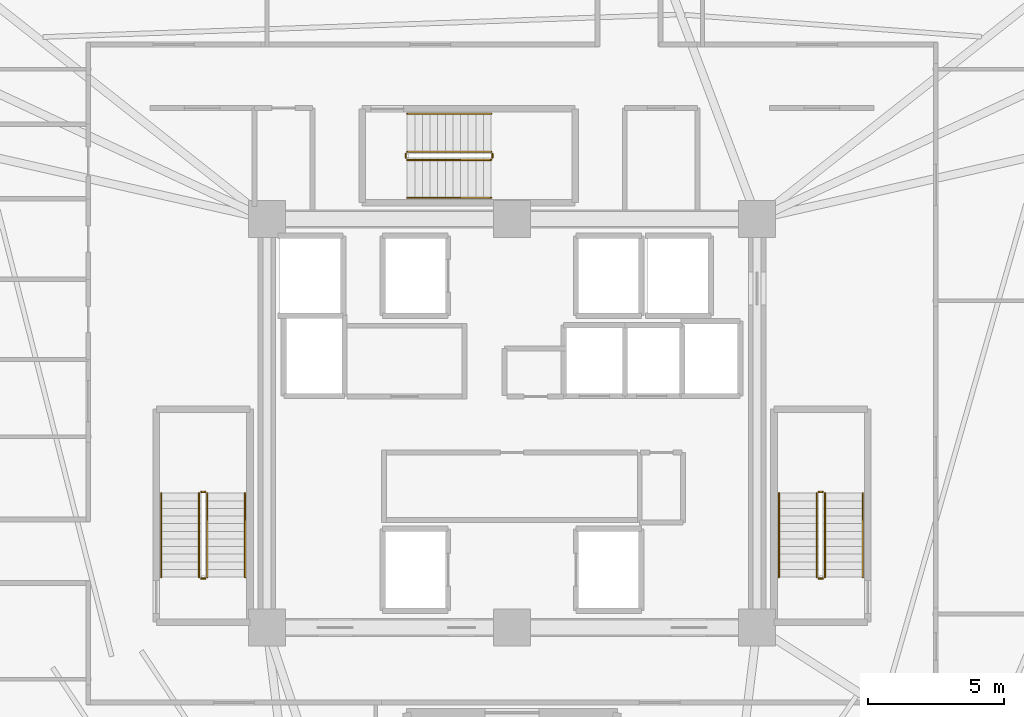
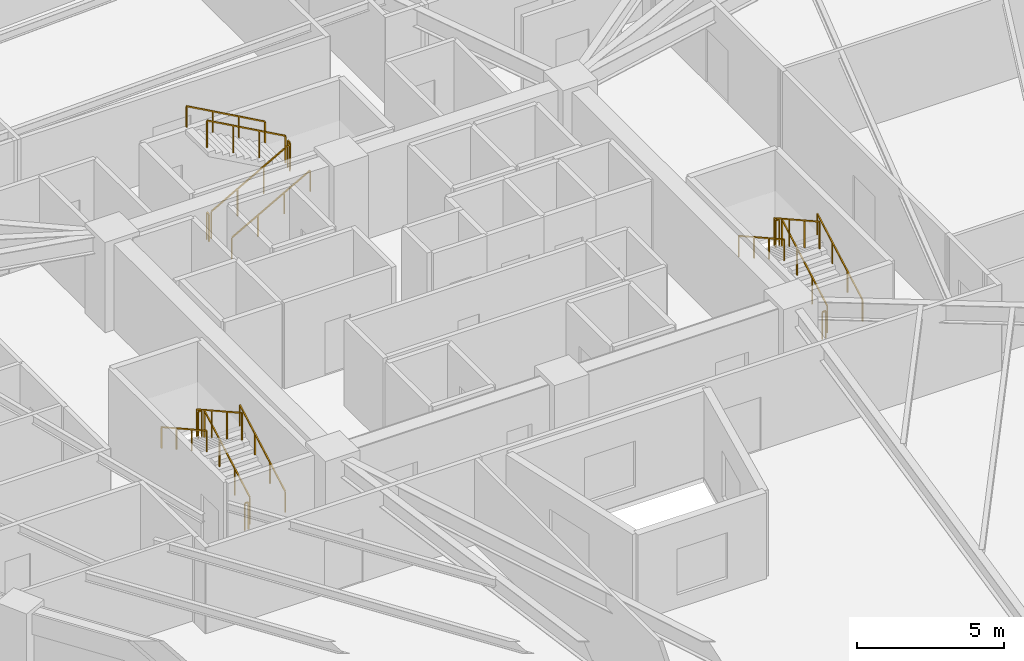
# One storey, part 8 of 8: 18 railings.
"""IFC4 building model written with IfcOpenShell, lengths in metres."""

from ifc_helpers import new_model, si_unit, direction, frame, origin, origin_2d, place, context, subcontext, project, spatial, rectangle, extrude, material, type_object, element, save


model = new_model("IFC4")

# Units and contexts
model_context = context("Model", 3, precision=1e-05, world=origin(), true_north=direction((0.0, 1.0)))
body_context = subcontext(model_context, "Body", "Model", "MODEL_VIEW")
ifc_project = project(units=[si_unit("LENGTHUNIT", "METRE"), si_unit("AREAUNIT", "SQUARE_METRE"), si_unit("VOLUMEUNIT", "CUBIC_METRE"), si_unit("PLANEANGLEUNIT", "RADIAN"), si_unit("MASSUNIT", "GRAM", prefix="KILO")], contexts=[model_context])

# Site, building, storey
site_placement = place(None, origin())
site = spatial("IfcSite", under=ifc_project, at=site_placement, CompositionType="ELEMENT")
building_placement = place(site_placement, origin())
building = spatial("IfcBuilding", under=site, at=building_placement, Name="Liaohun Quay Tower", CompositionType="ELEMENT")
storey_placement = place(building_placement, frame((0.0, 0.0, 198.0)))
storey = spatial("IfcBuildingStorey", under=building, at=storey_placement, Name="L51", CompositionType="ELEMENT", Elevation=198.0)

# Railings
ifc_material_1 = material(Name="Painted tubular steel", Category="steel")
railing_type_1 = type_object("IfcRailingType", Name="RLG-GUARD-STR", PredefinedType="GUARDRAIL", material=ifc_material_1)
railing_1_placement = place(storey_placement, frame((48.81005859375, 48.35009765625, 0.15625)))
element("IfcRailing", 1, at=railing_1_placement, inside=storey, type_object=railing_type_1, Name="L51 ST-1 stair guard 1", PredefinedType="GUARDRAIL", context=body_context, shape_type="SweptSolid", body=[
    extrude(rectangle(XDim=0.048095703125, YDim=0.048095703125, at=origin_2d()), frame((0.0, 0.0, 1.1259765625), z_axis=(0.0, 0.873225103656, 0.487317061414), x_axis=(-1.0, 0.0, 0.0)), (0.0, 0.0, 1.0), 3.52685546875),
    extrude(rectangle(XDim=0.0419921875, YDim=0.0419921875, at=origin_2d()), origin(), (0.0, 0.0, 1.0), 1.101806640625),
    extrude(rectangle(XDim=0.0419921875, YDim=0.0419921875, at=origin_2d()), frame((0.0, 1.026611328125, 0.572998046875)), (0.0, 0.0, 1.0), 1.101806640625),
    extrude(rectangle(XDim=0.0419921875, YDim=0.0419921875, at=origin_2d()), frame((0.0, 2.05322265625, 1.145751953125)), (0.0, 0.0, 1.0), 1.101806640625),
    extrude(rectangle(XDim=0.0419921875, YDim=0.0419921875, at=origin_2d()), frame((0.0, 3.079833984375, 1.71875)), (0.0, 0.0, 1.0), 1.101806640625),
])
railing_2_placement = place(storey_placement, frame((48.72998046875, 51.47998046875, 1.875)))
element("IfcRailing", 2, at=railing_2_placement, inside=storey, type_object=railing_type_1, Name="L51 ST-1 stair guard 2", PredefinedType="GUARDRAIL", context=body_context, shape_type="SweptSolid", body=[
    extrude(rectangle(XDim=0.048095703125, YDim=0.048095703125, at=origin_2d()), frame((0.0, 0.0, 1.1259765625), z_axis=(-1.0, 0.0, 0.0), x_axis=(0.0, -1.0, 0.0)), (0.0, 0.0, 1.0), 0.139892578125),
    extrude(rectangle(XDim=0.0419921875, YDim=0.0419921875, at=origin_2d()), origin(), (0.0, 0.0, 1.0), 1.101806640625),
    extrude(rectangle(XDim=0.0419921875, YDim=0.0419921875, at=origin_2d()), frame((-0.139892578125, 0.0, 0.0)), (0.0, 0.0, 1.0), 1.101806640625),
])
railing_3_placement = place(storey_placement, frame((48.510009765625, 51.429931640625, 2.03125)))
element("IfcRailing", 3, at=railing_3_placement, inside=storey, type_object=railing_type_1, Name="L51 ST-1 stair guard 3", PredefinedType="GUARDRAIL", context=body_context, shape_type="SweptSolid", body=[
    extrude(rectangle(XDim=0.048095703125, YDim=0.048095703125, at=origin_2d()), frame((0.0, 0.0, 1.1259765625), z_axis=(0.0, -0.873225103656, 0.487317061414), x_axis=(1.0, 0.0, 0.0)), (0.0, 0.0, 1.0), 3.52685546875),
    extrude(rectangle(XDim=0.0419921875, YDim=0.0419921875, at=origin_2d()), origin(), (0.0, 0.0, 1.0), 1.101806640625),
    extrude(rectangle(XDim=0.0419921875, YDim=0.0419921875, at=origin_2d()), frame((0.0, -1.026611328125, 0.572998046875)), (0.0, 0.0, 1.0), 1.101806640625),
    extrude(rectangle(XDim=0.0419921875, YDim=0.0419921875, at=origin_2d()), frame((0.0, -2.05322265625, 1.145751953125)), (0.0, 0.0, 1.0), 1.101806640625),
    extrude(rectangle(XDim=0.0419921875, YDim=0.0419921875, at=origin_2d()), frame((0.0, -3.079833984375, 1.71875)), (0.0, 0.0, 1.0), 1.101806640625),
])
railing_4_placement = place(storey_placement, frame((48.72998046875, 48.300048828125, 0.0)))
element("IfcRailing", 4, at=railing_4_placement, inside=storey, type_object=railing_type_1, Name="L51 ST-1 stair guard 4", PredefinedType="GUARDRAIL", context=body_context, shape_type="SweptSolid", body=[
    extrude(rectangle(XDim=0.048095703125, YDim=0.048095703125, at=origin_2d()), frame((0.0, 0.0, 1.1259765625), z_axis=(-1.0, 0.0, 0.0), x_axis=(0.0, -1.0, 0.0)), (0.0, 0.0, 1.0), 0.139892578125),
    extrude(rectangle(XDim=0.0419921875, YDim=0.0419921875, at=origin_2d()), origin(), (0.0, 0.0, 1.0), 1.101806640625),
    extrude(rectangle(XDim=0.0419921875, YDim=0.0419921875, at=origin_2d()), frame((-0.139892578125, 0.0, 0.0)), (0.0, 0.0, 1.0), 1.101806640625),
])
railing_5_placement = place(storey_placement, frame((71.489990234375, 48.35009765625, 0.15625)))
element("IfcRailing", 5, at=railing_5_placement, inside=storey, type_object=railing_type_1, Name="L51 ST-2 stair guard 1", PredefinedType="GUARDRAIL", context=body_context, shape_type="SweptSolid", body=[
    extrude(rectangle(XDim=0.048095703125, YDim=0.048095703125, at=origin_2d()), frame((0.0, 0.0, 1.1259765625), z_axis=(0.0, 0.873225103656, 0.487317061414), x_axis=(-1.0, 0.0, 0.0)), (0.0, 0.0, 1.0), 3.52685546875),
    extrude(rectangle(XDim=0.0419921875, YDim=0.0419921875, at=origin_2d()), origin(), (0.0, 0.0, 1.0), 1.101806640625),
    extrude(rectangle(XDim=0.0419921875, YDim=0.0419921875, at=origin_2d()), frame((0.0, 1.026611328125, 0.572998046875)), (0.0, 0.0, 1.0), 1.101806640625),
    extrude(rectangle(XDim=0.0419921875, YDim=0.0419921875, at=origin_2d()), frame((0.0, 2.05322265625, 1.145751953125)), (0.0, 0.0, 1.0), 1.101806640625),
    extrude(rectangle(XDim=0.0419921875, YDim=0.0419921875, at=origin_2d()), frame((0.0, 3.079833984375, 1.71875)), (0.0, 0.0, 1.0), 1.101806640625),
])
railing_6_placement = place(storey_placement, frame((71.409912109375, 51.47998046875, 1.875)))
element("IfcRailing", 6, at=railing_6_placement, inside=storey, type_object=railing_type_1, Name="L51 ST-2 stair guard 2", PredefinedType="GUARDRAIL", context=body_context, shape_type="SweptSolid", body=[
    extrude(rectangle(XDim=0.048095703125, YDim=0.048095703125, at=origin_2d()), frame((0.0, 0.0, 1.1259765625), z_axis=(-1.0, 0.0, 0.0), x_axis=(0.0, -1.0, 0.0)), (0.0, 0.0, 1.0), 0.139892578125),
    extrude(rectangle(XDim=0.0419921875, YDim=0.0419921875, at=origin_2d()), origin(), (0.0, 0.0, 1.0), 1.101806640625),
    extrude(rectangle(XDim=0.0419921875, YDim=0.0419921875, at=origin_2d()), frame((-0.139892578125, 0.0, 0.0)), (0.0, 0.0, 1.0), 1.101806640625),
])
railing_7_placement = place(storey_placement, frame((71.18994140625, 51.429931640625, 2.03125)))
element("IfcRailing", 7, at=railing_7_placement, inside=storey, type_object=railing_type_1, Name="L51 ST-2 stair guard 3", PredefinedType="GUARDRAIL", context=body_context, shape_type="SweptSolid", body=[
    extrude(rectangle(XDim=0.048095703125, YDim=0.048095703125, at=origin_2d()), frame((0.0, 0.0, 1.1259765625), z_axis=(0.0, -0.873225103656, 0.487317061414), x_axis=(1.0, 0.0, 0.0)), (0.0, 0.0, 1.0), 3.52685546875),
    extrude(rectangle(XDim=0.0419921875, YDim=0.0419921875, at=origin_2d()), origin(), (0.0, 0.0, 1.0), 1.101806640625),
    extrude(rectangle(XDim=0.0419921875, YDim=0.0419921875, at=origin_2d()), frame((0.0, -1.026611328125, 0.572998046875)), (0.0, 0.0, 1.0), 1.101806640625),
    extrude(rectangle(XDim=0.0419921875, YDim=0.0419921875, at=origin_2d()), frame((0.0, -2.05322265625, 1.145751953125)), (0.0, 0.0, 1.0), 1.101806640625),
    extrude(rectangle(XDim=0.0419921875, YDim=0.0419921875, at=origin_2d()), frame((0.0, -3.079833984375, 1.71875)), (0.0, 0.0, 1.0), 1.101806640625),
])
railing_8_placement = place(storey_placement, frame((71.409912109375, 48.300048828125, 0.0)))
element("IfcRailing", 8, at=railing_8_placement, inside=storey, type_object=railing_type_1, Name="L51 ST-2 stair guard 4", PredefinedType="GUARDRAIL", context=body_context, shape_type="SweptSolid", body=[
    extrude(rectangle(XDim=0.048095703125, YDim=0.048095703125, at=origin_2d()), frame((0.0, 0.0, 1.1259765625), z_axis=(-1.0, 0.0, 0.0), x_axis=(0.0, -1.0, 0.0)), (0.0, 0.0, 1.0), 0.139892578125),
    extrude(rectangle(XDim=0.0419921875, YDim=0.0419921875, at=origin_2d()), origin(), (0.0, 0.0, 1.0), 1.101806640625),
    extrude(rectangle(XDim=0.0419921875, YDim=0.0419921875, at=origin_2d()), frame((-0.139892578125, 0.0, 0.0)), (0.0, 0.0, 1.0), 1.101806640625),
])
railing_9_placement = place(storey_placement, frame((56.14990234375, 63.669921875, 0.15625)))
element("IfcRailing", 9, at=railing_9_placement, inside=storey, type_object=railing_type_1, Name="L51 ST-3 stair guard 1", PredefinedType="GUARDRAIL", context=body_context, shape_type="SweptSolid", body=[
    extrude(rectangle(XDim=0.048095703125, YDim=0.048095703125, at=origin_2d()), frame((0.0, 0.0, 1.1259765625), z_axis=(0.873241540666, 0.0, 0.487287606713), x_axis=(0.0, 1.0, 0.0)), (0.0, 0.0, 1.0), 3.527099609375),
    extrude(rectangle(XDim=0.0419921875, YDim=0.0419921875, at=origin_2d()), origin(), (0.0, 0.0, 1.0), 1.101806640625),
    extrude(rectangle(XDim=0.0419921875, YDim=0.0419921875, at=origin_2d()), frame((1.026611328125, 0.0, 0.572998046875)), (0.0, 0.0, 1.0), 1.101806640625),
    extrude(rectangle(XDim=0.0419921875, YDim=0.0419921875, at=origin_2d()), frame((2.053466796875, 0.0, 1.145751953125)), (0.0, 0.0, 1.0), 1.101806640625),
    extrude(rectangle(XDim=0.0419921875, YDim=0.0419921875, at=origin_2d()), frame((3.080078125, 0.0, 1.71875)), (0.0, 0.0, 1.0), 1.101806640625),
])
railing_10_placement = place(storey_placement, frame((59.280029296875, 63.75, 1.875)))
element("IfcRailing", 10, at=railing_10_placement, inside=storey, type_object=railing_type_1, Name="L51 ST-3 stair guard 2", PredefinedType="GUARDRAIL", context=body_context, shape_type="SweptSolid", body=[
    extrude(rectangle(XDim=0.048095703125, YDim=0.048095703125, at=origin_2d()), frame((0.0, 0.0, 1.1259765625), z_axis=(0.0, 1.0, 0.0), x_axis=(-1.0, 0.0, 0.0)), (0.0, 0.0, 1.0), 0.139892578125),
    extrude(rectangle(XDim=0.0419921875, YDim=0.0419921875, at=origin_2d()), origin(), (0.0, 0.0, 1.0), 1.101806640625),
    extrude(rectangle(XDim=0.0419921875, YDim=0.0419921875, at=origin_2d()), frame((0.0, 0.139892578125, 0.0)), (0.0, 0.0, 1.0), 1.101806640625),
])
railing_11_placement = place(storey_placement, frame((59.22998046875, 63.969970703125, 2.03125)))
element("IfcRailing", 11, at=railing_11_placement, inside=storey, type_object=railing_type_1, Name="L51 ST-3 stair guard 3", PredefinedType="GUARDRAIL", context=body_context, shape_type="SweptSolid", body=[
    extrude(rectangle(XDim=0.048095703125, YDim=0.048095703125, at=origin_2d()), frame((0.0, 0.0, 1.1259765625), z_axis=(-0.873241540666, 0.0, 0.487287606713), x_axis=(0.0, -1.0, 0.0)), (0.0, 0.0, 1.0), 3.527099609375),
    extrude(rectangle(XDim=0.0419921875, YDim=0.0419921875, at=origin_2d()), origin(), (0.0, 0.0, 1.0), 1.101806640625),
    extrude(rectangle(XDim=0.0419921875, YDim=0.0419921875, at=origin_2d()), frame((-1.026611328125, 0.0, 0.572998046875)), (0.0, 0.0, 1.0), 1.101806640625),
    extrude(rectangle(XDim=0.0419921875, YDim=0.0419921875, at=origin_2d()), frame((-2.053466796875, 0.0, 1.145751953125)), (0.0, 0.0, 1.0), 1.101806640625),
    extrude(rectangle(XDim=0.0419921875, YDim=0.0419921875, at=origin_2d()), frame((-3.080078125, 0.0, 1.71875)), (0.0, 0.0, 1.0), 1.101806640625),
])
railing_12_placement = place(storey_placement, frame((56.10009765625, 63.75, 0.0)))
element("IfcRailing", 12, at=railing_12_placement, inside=storey, type_object=railing_type_1, Name="L51 ST-3 stair guard 4", PredefinedType="GUARDRAIL", context=body_context, shape_type="SweptSolid", body=[
    extrude(rectangle(XDim=0.048095703125, YDim=0.048095703125, at=origin_2d()), frame((0.0, 0.0, 1.1259765625), z_axis=(0.0, 1.0, 0.0), x_axis=(-1.0, 0.0, 0.0)), (0.0, 0.0, 1.0), 0.139892578125),
    extrude(rectangle(XDim=0.0419921875, YDim=0.0419921875, at=origin_2d()), origin(), (0.0, 0.0, 1.0), 1.101806640625),
    extrude(rectangle(XDim=0.0419921875, YDim=0.0419921875, at=origin_2d()), frame((0.0, 0.139892578125, 0.0)), (0.0, 0.0, 1.0), 1.101806640625),
])
ifc_material_2 = material(Name="Brushed stainless steel", Category="steel")
railing_type_2 = type_object("IfcRailingType", Name="RLG-HND-STR", PredefinedType="HANDRAIL", material=ifc_material_2)
railing_13_placement = place(storey_placement, frame((50.199951171875, 48.35009765625, 0.15625)))
element("IfcRailing", 13, at=railing_13_placement, inside=storey, type_object=railing_type_2, Name="L51 ST-1 stair handrail 1", PredefinedType="HANDRAIL", context=body_context, shape_type="SweptSolid", body=[
    extrude(rectangle(XDim=0.048095703125, YDim=0.048095703125, at=origin_2d()), frame((0.0, 0.0, 0.8759765625), z_axis=(0.0, 0.873225103656, 0.487317061414), x_axis=(-1.0, 0.0, 0.0)), (0.0, 0.0, 1.0), 3.52685546875),
    extrude(rectangle(XDim=0.0419921875, YDim=0.0419921875, at=origin_2d()), origin(), (0.0, 0.0, 1.0), 0.851806640625),
    extrude(rectangle(XDim=0.0419921875, YDim=0.0419921875, at=origin_2d()), frame((0.0, 1.026611328125, 0.572998046875)), (0.0, 0.0, 1.0), 0.851806640625),
    extrude(rectangle(XDim=0.0419921875, YDim=0.0419921875, at=origin_2d()), frame((0.0, 2.05322265625, 1.145751953125)), (0.0, 0.0, 1.0), 0.851806640625),
    extrude(rectangle(XDim=0.0419921875, YDim=0.0419921875, at=origin_2d()), frame((0.0, 3.079833984375, 1.71875)), (0.0, 0.0, 1.0), 0.851806640625),
])
railing_14_placement = place(storey_placement, frame((47.1201171875, 51.429931640625, 2.03125)))
element("IfcRailing", 14, at=railing_14_placement, inside=storey, type_object=railing_type_2, Name="L51 ST-1 stair handrail 2", PredefinedType="HANDRAIL", context=body_context, shape_type="SweptSolid", body=[
    extrude(rectangle(XDim=0.048095703125, YDim=0.048095703125, at=origin_2d()), frame((0.0, 0.0, 0.8759765625), z_axis=(0.0, -0.873225103656, 0.487317061414), x_axis=(1.0, 0.0, 0.0)), (0.0, 0.0, 1.0), 3.52685546875),
    extrude(rectangle(XDim=0.0419921875, YDim=0.0419921875, at=origin_2d()), origin(), (0.0, 0.0, 1.0), 0.851806640625),
    extrude(rectangle(XDim=0.0419921875, YDim=0.0419921875, at=origin_2d()), frame((0.0, -1.026611328125, 0.572998046875)), (0.0, 0.0, 1.0), 0.851806640625),
    extrude(rectangle(XDim=0.0419921875, YDim=0.0419921875, at=origin_2d()), frame((0.0, -2.05322265625, 1.145751953125)), (0.0, 0.0, 1.0), 0.851806640625),
    extrude(rectangle(XDim=0.0419921875, YDim=0.0419921875, at=origin_2d()), frame((0.0, -3.079833984375, 1.71875)), (0.0, 0.0, 1.0), 0.851806640625),
])
railing_15_placement = place(storey_placement, frame((72.8798828125, 48.35009765625, 0.15625)))
element("IfcRailing", 15, at=railing_15_placement, inside=storey, type_object=railing_type_2, Name="L51 ST-2 stair handrail 1", PredefinedType="HANDRAIL", context=body_context, shape_type="SweptSolid", body=[
    extrude(rectangle(XDim=0.048095703125, YDim=0.048095703125, at=origin_2d()), frame((0.0, 0.0, 0.8759765625), z_axis=(0.0, 0.873225103656, 0.487317061414), x_axis=(-1.0, 0.0, 0.0)), (0.0, 0.0, 1.0), 3.52685546875),
    extrude(rectangle(XDim=0.0419921875, YDim=0.0419921875, at=origin_2d()), origin(), (0.0, 0.0, 1.0), 0.851806640625),
    extrude(rectangle(XDim=0.0419921875, YDim=0.0419921875, at=origin_2d()), frame((0.0, 1.026611328125, 0.572998046875)), (0.0, 0.0, 1.0), 0.851806640625),
    extrude(rectangle(XDim=0.0419921875, YDim=0.0419921875, at=origin_2d()), frame((0.0, 2.05322265625, 1.145751953125)), (0.0, 0.0, 1.0), 0.851806640625),
    extrude(rectangle(XDim=0.0419921875, YDim=0.0419921875, at=origin_2d()), frame((0.0, 3.079833984375, 1.71875)), (0.0, 0.0, 1.0), 0.851806640625),
])
railing_16_placement = place(storey_placement, frame((69.800048828125, 51.429931640625, 2.03125)))
element("IfcRailing", 16, at=railing_16_placement, inside=storey, type_object=railing_type_2, Name="L51 ST-2 stair handrail 2", PredefinedType="HANDRAIL", context=body_context, shape_type="SweptSolid", body=[
    extrude(rectangle(XDim=0.048095703125, YDim=0.048095703125, at=origin_2d()), frame((0.0, 0.0, 0.8759765625), z_axis=(0.0, -0.873225103656, 0.487317061414), x_axis=(1.0, 0.0, 0.0)), (0.0, 0.0, 1.0), 3.52685546875),
    extrude(rectangle(XDim=0.0419921875, YDim=0.0419921875, at=origin_2d()), origin(), (0.0, 0.0, 1.0), 0.851806640625),
    extrude(rectangle(XDim=0.0419921875, YDim=0.0419921875, at=origin_2d()), frame((0.0, -1.026611328125, 0.572998046875)), (0.0, 0.0, 1.0), 0.851806640625),
    extrude(rectangle(XDim=0.0419921875, YDim=0.0419921875, at=origin_2d()), frame((0.0, -2.05322265625, 1.145751953125)), (0.0, 0.0, 1.0), 0.851806640625),
    extrude(rectangle(XDim=0.0419921875, YDim=0.0419921875, at=origin_2d()), frame((0.0, -3.079833984375, 1.71875)), (0.0, 0.0, 1.0), 0.851806640625),
])
railing_17_placement = place(storey_placement, frame((56.14990234375, 62.280029296875, 0.15625)))
element("IfcRailing", 17, at=railing_17_placement, inside=storey, type_object=railing_type_2, Name="L51 ST-3 stair handrail 1", PredefinedType="HANDRAIL", context=body_context, shape_type="SweptSolid", body=[
    extrude(rectangle(XDim=0.048095703125, YDim=0.048095703125, at=origin_2d()), frame((0.0, 0.0, 0.8759765625), z_axis=(0.873241540666, 0.0, 0.487287606713), x_axis=(0.0, 1.0, 0.0)), (0.0, 0.0, 1.0), 3.527099609375),
    extrude(rectangle(XDim=0.0419921875, YDim=0.0419921875, at=origin_2d()), origin(), (0.0, 0.0, 1.0), 0.851806640625),
    extrude(rectangle(XDim=0.0419921875, YDim=0.0419921875, at=origin_2d()), frame((1.026611328125, 0.0, 0.572998046875)), (0.0, 0.0, 1.0), 0.851806640625),
    extrude(rectangle(XDim=0.0419921875, YDim=0.0419921875, at=origin_2d()), frame((2.053466796875, 0.0, 1.145751953125)), (0.0, 0.0, 1.0), 0.851806640625),
    extrude(rectangle(XDim=0.0419921875, YDim=0.0419921875, at=origin_2d()), frame((3.080078125, 0.0, 1.71875)), (0.0, 0.0, 1.0), 0.851806640625),
])
railing_18_placement = place(storey_placement, frame((59.22998046875, 65.360107421875, 2.03125)))
element("IfcRailing", 18, at=railing_18_placement, inside=storey, type_object=railing_type_2, Name="L51 ST-3 stair handrail 2", PredefinedType="HANDRAIL", context=body_context, shape_type="SweptSolid", body=[
    extrude(rectangle(XDim=0.048095703125, YDim=0.048095703125, at=origin_2d()), frame((0.0, 0.0, 0.8759765625), z_axis=(-0.873241540666, 0.0, 0.487287606713), x_axis=(0.0, -1.0, 0.0)), (0.0, 0.0, 1.0), 3.527099609375),
    extrude(rectangle(XDim=0.0419921875, YDim=0.0419921875, at=origin_2d()), origin(), (0.0, 0.0, 1.0), 0.851806640625),
    extrude(rectangle(XDim=0.0419921875, YDim=0.0419921875, at=origin_2d()), frame((-1.026611328125, 0.0, 0.572998046875)), (0.0, 0.0, 1.0), 0.851806640625),
    extrude(rectangle(XDim=0.0419921875, YDim=0.0419921875, at=origin_2d()), frame((-2.053466796875, 0.0, 1.145751953125)), (0.0, 0.0, 1.0), 0.851806640625),
    extrude(rectangle(XDim=0.0419921875, YDim=0.0419921875, at=origin_2d()), frame((-3.080078125, 0.0, 1.71875)), (0.0, 0.0, 1.0), 0.851806640625),
])

save(model, "model.ifc")
